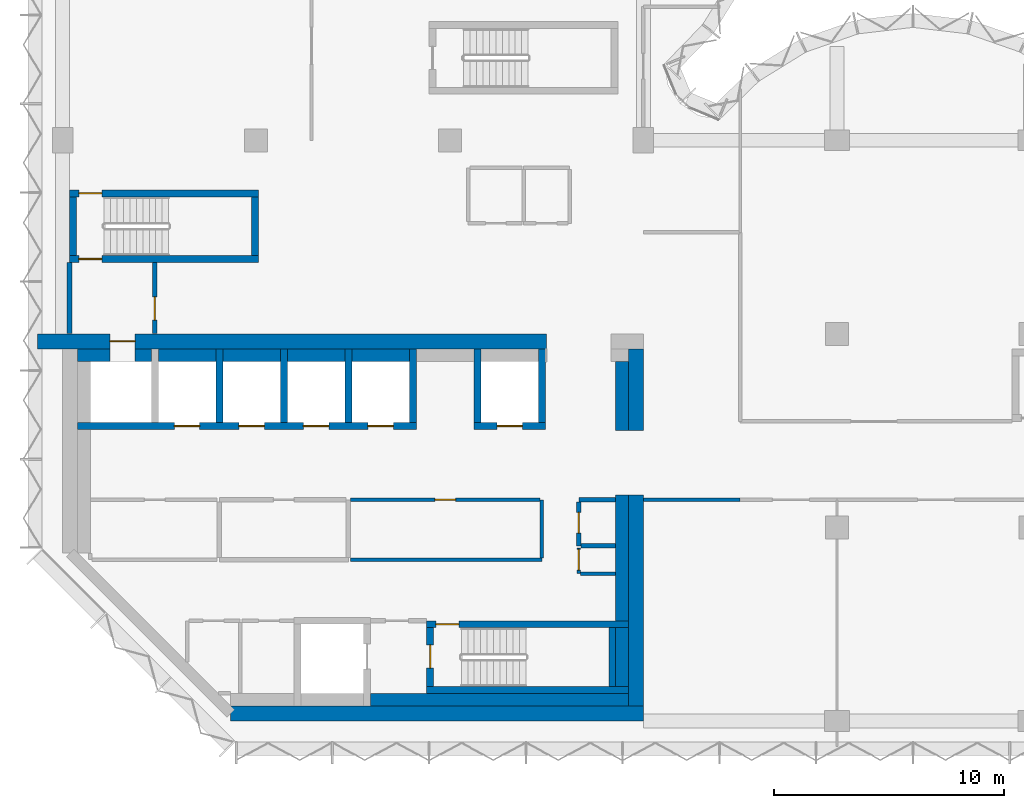
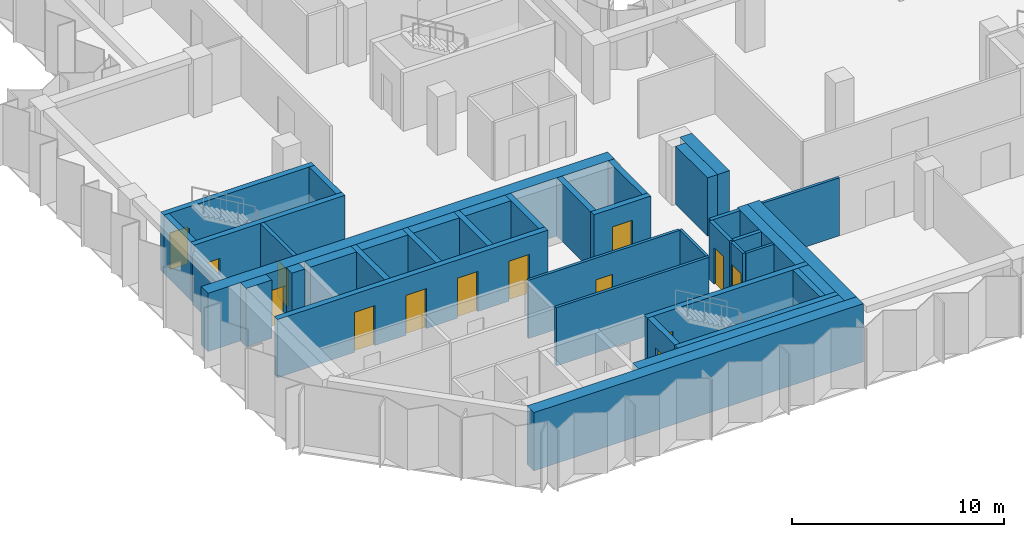
# One storey, part 5 of 9: 41 walls, 14 doors, 14 openings.
"""IFC4 building model written with IfcOpenShell, lengths in metres."""

from ifc_helpers import new_model, si_unit, direction, frame, frame_2d, origin, place, context, subcontext, project, spatial, rectangle, extrude, material, layer, layer_set, type_object, element, fill, save


model = new_model("IFC4")

# Units and contexts
model_context = context("Model", 3, precision=1e-05, world=origin(), true_north=direction((0.0, 1.0)))
body_context = subcontext(model_context, "Body", "Model", "MODEL_VIEW")
ifc_project = project(units=[si_unit("LENGTHUNIT", "METRE"), si_unit("AREAUNIT", "SQUARE_METRE"), si_unit("VOLUMEUNIT", "CUBIC_METRE"), si_unit("PLANEANGLEUNIT", "RADIAN"), si_unit("MASSUNIT", "GRAM", prefix="KILO")], contexts=[model_context])

# Site, building, storey
site_placement = place(None, origin())
site = spatial("IfcSite", under=ifc_project, at=site_placement, CompositionType="ELEMENT")
building_placement = place(site_placement, origin())
building = spatial("IfcBuilding", under=site, at=building_placement, Name="Brevane Broadcast Tower", CompositionType="ELEMENT")
storey_placement = place(building_placement, frame((0.0, 0.0, 192.0)))
storey = spatial("IfcBuildingStorey", under=building, at=storey_placement, Name="L48", CompositionType="ELEMENT", Elevation=192.0)

# Walls
ifc_material_1 = material(Name="Concrete C32/40", Category="concrete")
ifc_layer_1 = layer(ifc_material_1, 0.550048828125)
ifc_layer_set_1 = layer_set([ifc_layer_1], Name="Core chase wall 550 mm")
wall_type_1 = type_object("IfcWallType", Name="Core chase wall 550 mm", PredefinedType="PARTITIONING", material=ifc_layer_set_1)
wall_1_placement = place(storey_placement, frame((24.27490234375, 12.60009765625, 0.0), z_axis=(0.0, 0.0, 1.0), x_axis=(0.0, 1.0, 0.0)))
element("IfcWall", 1, at=wall_1_placement, inside=storey, type_object=wall_type_1, Name="L48 chase wall LE2", PredefinedType="PARTITIONING", context=body_context, shape_type="SweptSolid", body=[
    extrude(rectangle(XDim=3.0, YDim=0.550048828125, at=frame_2d((1.5, 0.0))), origin(), (0.0, 0.0, 1.0), 3.35009765625),
])
wall_2_placement = place(storey_placement, frame((0.64990234375, 15.875, 0.0), z_axis=(0.0, 0.0, 1.0), x_axis=(1.0, 0.0, 0.0)))
element("IfcWall", 2, at=wall_2_placement, inside=storey, type_object=wall_type_1, Name="L48 chase wall LN0", PredefinedType="PARTITIONING", context=body_context, shape_type="SweptSolid", body=[
    extrude(rectangle(XDim=1.400146484375, YDim=0.550048828125, at=frame_2d((0.7001953125, 0.0))), origin(), (0.0, 0.0, 1.0), 3.35009765625),
])
wall_3_placement = place(storey_placement, frame((3.14990234375, 15.875, 0.0), z_axis=(0.0, 0.0, 1.0), x_axis=(1.0, 0.0, 0.0)))
element("IfcWall", 3, at=wall_3_placement, inside=storey, type_object=wall_type_1, Name="L48 chase wall LN1-1", PredefinedType="PARTITIONING", context=body_context, shape_type="SweptSolid", body=[
    extrude(rectangle(XDim=0.7001953125, YDim=0.550048828125, at=frame_2d((0.35009765625, 0.0))), origin(), (0.0, 0.0, 1.0), 3.35009765625),
])
for number, where, z_axis, x_axis, name in (
    (4, (4.14990234375, 15.875, 0.0), (0.0, 0.0, 1.0), (1.0, 0.0, 0.0), "L48 chase wall LN1-2-1"),
    (5, (6.949951171875, 15.875, 0.0), (0.0, 0.0, 1.0), (1.0, 0.0, 0.0), "L48 chase wall LN1-2-2-1"),
    (6, (9.75, 15.875, 0.0), (0.0, 0.0, 1.0), (1.0, 0.0, 0.0), "L48 chase wall LN1-2-2-2-1"),
    (7, (12.550048828125, 15.875, 0.0), (0.0, 0.0, 1.0), (1.0, 0.0, 0.0), "L48 chase wall LN1-2-2-2-2-1"),
):
    element("IfcWall", number, at=place(storey_placement, frame(where, z_axis=z_axis, x_axis=x_axis)), inside=storey, type_object=wall_type_1, Name=name, PredefinedType="PARTITIONING", context=body_context, shape_type="SweptSolid", body=[
        extrude(rectangle(XDim=2.5, YDim=0.550048828125, at=frame_2d((1.25, 0.0))), origin(), (0.0, 0.0, 1.0), 3.35009765625),
    ])
wall_4_placement = place(storey_placement, frame((13.35009765625, 0.925048828125, 0.0), z_axis=(0.0, 0.0, 1.0), x_axis=(1.0, 0.0, 0.0)))
element("IfcWall", 8, at=wall_4_placement, inside=storey, type_object=wall_type_1, Name="L48 chase wall LS-2-2", PredefinedType="PARTITIONING", context=body_context, shape_type="SweptSolid", body=[
    extrude(rectangle(XDim=11.199951171875, YDim=0.550048828125, at=frame_2d((5.60009765625, 0.0))), origin(), (0.0, 0.0, 1.0), 3.35009765625),
])
wall_5_placement = place(storey_placement, frame((24.27490234375, 1.5, 0.0), z_axis=(0.0, 0.0, 1.0), x_axis=(0.0, 1.0, 0.0)))
element("IfcWall", 9, at=wall_5_placement, inside=storey, type_object=wall_type_1, Name="L48 chase wall LE1-2-1", PredefinedType="PARTITIONING", context=body_context, shape_type="SweptSolid", body=[
    extrude(rectangle(XDim=2.550048828125, YDim=0.550048828125, at=frame_2d((1.27490234375, 0.0))), origin(), (0.0, 0.0, 1.0), 3.35009765625),
])
wall_6_placement = place(storey_placement, frame((24.27490234375, 4.35009765625, 0.0), z_axis=(0.0, 0.0, 1.0), x_axis=(0.0, 1.0, 0.0)))
element("IfcWall", 10, at=wall_6_placement, inside=storey, type_object=wall_type_1, Name="L48 chase wall LE1-2-2", PredefinedType="PARTITIONING", context=body_context, shape_type="SweptSolid", body=[
    extrude(rectangle(XDim=5.449951171875, YDim=0.550048828125, at=frame_2d((2.72509765625, 0.0))), origin(), (0.0, 0.0, 1.0), 3.35009765625),
])
ifc_material_2 = material(Name="Gypsum board on steel studs", Category="steel")
ifc_layer_2 = layer(ifc_material_2, 0.14990234375)
ifc_layer_set_2 = layer_set([ifc_layer_2], Name="Core fire partition 150 mm")
wall_type_2 = type_object("IfcWallType", Name="Core fire partition 150 mm", PredefinedType="PARTITIONING", material=ifc_layer_set_2)
wall_7_placement = place(storey_placement, frame((12.5, 7.0, 0.0), z_axis=(0.0, 0.0, 1.0), x_axis=(1.0, 0.0, 0.0)))
element("IfcWall", 11, at=wall_7_placement, inside=storey, type_object=wall_type_2, Name="L48 partition wall P19", PredefinedType="PARTITIONING", context=body_context, shape_type="SweptSolid", body=[
    extrude(rectangle(XDim=8.300048828125, YDim=0.14990234375, at=frame_2d((4.14990234375, 0.0))), origin(), (0.0, 0.0, 1.0), 3.35009765625),
])
wall_8_placement = place(storey_placement, frame((20.800048828125, 7.074951171875, 0.0), z_axis=(0.0, 0.0, 1.0), x_axis=(0.0, 1.0, 0.0)))
element("IfcWall", 12, at=wall_8_placement, inside=storey, type_object=wall_type_2, Name="L48 partition wall P20", PredefinedType="PARTITIONING", context=body_context, shape_type="SweptSolid", body=[
    extrude(rectangle(XDim=2.525146484375, YDim=0.14990234375, at=frame_2d((1.2626953125, 0.0))), origin(), (0.0, 0.0, 1.0), 3.35009765625),
])

# Wall, opening, door
wall_9_placement = place(storey_placement, frame((20.72509765625, 9.60009765625, 0.0), z_axis=(0.0, 0.0, 1.0), x_axis=(-1.0, 0.0, 0.0)))
wall_9 = element("IfcWall", 13, at=wall_9_placement, inside=storey, type_object=wall_type_2, Name="L48 partition wall P21", PredefinedType="PARTITIONING", context=body_context, shape_type="SweptSolid", body=[
    extrude(rectangle(XDim=8.22509765625, YDim=0.14990234375, at=frame_2d((4.112548828125, 0.0))), origin(), (0.0, 0.0, 1.0), 3.35009765625),
])
opening_1_placement = place(wall_9_placement, frame((3.675048828125, 0.0, 0.0)))
opening_1 = element("IfcOpeningElement", 14, at=opening_1_placement, cuts=wall_9, Name="Opening L48-K21", PredefinedType="OPENING", context=body_context, shape_type="SweptSolid", body=[
    extrude(rectangle(XDim=0.89990234375, YDim=2.10009765625, at=frame_2d((0.449951171875, 1.050048828125))), frame((0.0, 0.0849609375, 0.0), z_axis=(0.0, -1.0, 0.0), x_axis=(1.0, 0.0, 0.0)), (0.0, 0.0, 1.0), 0.169921875),
])
ifc_material_3 = material(Name="Steel", Category="steel")
door_type_1 = type_object("IfcDoorType", Name="Service room door 900 x 2100", OperationType="SINGLE_SWING_LEFT", PredefinedType="DOOR", material=ifc_material_3)
door_1_placement = place(opening_1_placement, origin())
door_1 = element("IfcDoor", 15, at=door_1_placement, inside=storey, type_object=door_type_1, Name="Door L48-K21", OperationType="SINGLE_SWING_RIGHT", OverallHeight=2.10009765625, OverallWidth=0.89990234375, PredefinedType="DOOR", context=body_context, shape_type="SweptSolid", body=[
    extrude(rectangle(XDim=0.89990234375, YDim=2.10009765625, at=frame_2d((0.449951171875, 1.050048828125))), frame((0.0, 0.02490234375, 0.0), z_axis=(0.0, -1.0, 0.0), x_axis=(1.0, 0.0, 0.0)), (0.0, 0.0, 1.0), 0.050048828125),
])
fill(opening_1, door_1)

wall_10_placement = place(storey_placement, frame((22.39990234375, 7.5, 0.0), z_axis=(0.0, 0.0, 1.0), x_axis=(0.0, -1.0, 0.0)))
wall_10 = element("IfcWall", 16, at=wall_10_placement, inside=storey, type_object=wall_type_2, Name="L48 partition wall P29", PredefinedType="PARTITIONING", context=body_context, shape_type="SweptSolid", body=[
    extrude(rectangle(XDim=1.10009765625, YDim=0.14990234375, at=frame_2d((0.550048828125, 0.0))), origin(), (0.0, 0.0, 1.0), 3.35009765625),
])
opening_2_placement = place(wall_10_placement, frame((0.050048828125, 0.0, 0.0)))
opening_2 = element("IfcOpeningElement", 17, at=opening_2_placement, cuts=wall_10, Name="Opening L48-K17", PredefinedType="OPENING", context=body_context, shape_type="SweptSolid", body=[
    extrude(rectangle(XDim=0.89990234375, YDim=2.10009765625, at=frame_2d((0.449951171875, 1.050048828125))), frame((0.0, 0.0849609375, 0.0), z_axis=(0.0, -1.0, 0.0), x_axis=(1.0, 0.0, 0.0)), (0.0, 0.0, 1.0), 0.169921875),
])
door_2_placement = place(opening_2_placement, origin())
door_2 = element("IfcDoor", 18, at=door_2_placement, inside=storey, type_object=door_type_1, Name="Door L48-K17", OperationType="SINGLE_SWING_RIGHT", OverallHeight=2.10009765625, OverallWidth=0.89990234375, PredefinedType="DOOR", context=body_context, shape_type="SweptSolid", body=[
    extrude(rectangle(XDim=0.89990234375, YDim=2.10009765625, at=frame_2d((0.449951171875, 1.050048828125))), frame((0.0, 0.02490234375, 0.0), z_axis=(0.0, -1.0, 0.0), x_axis=(1.0, 0.0, 0.0)), (0.0, 0.0, 1.0), 0.050048828125),
])
fill(opening_2, door_2)

# Walls
wall_11_placement = place(storey_placement, frame((22.47509765625, 6.39990234375, 0.0), z_axis=(0.0, 0.0, 1.0), x_axis=(1.0, 0.0, 0.0)))
element("IfcWall", 19, at=wall_11_placement, inside=storey, type_object=wall_type_2, Name="L48 partition wall P30", PredefinedType="PARTITIONING", context=body_context, shape_type="SweptSolid", body=[
    extrude(rectangle(XDim=1.512939453125, YDim=0.14990234375, at=frame_2d((0.75634765625, 0.0))), origin(), (0.0, 0.0, 1.0), 3.35009765625),
])
ifc_layer_3 = layer(ifc_material_2, 0.199951171875)
ifc_layer_set_3 = layer_set([ifc_layer_3], Name="Core fire partition 200 mm")
wall_type_3 = type_object("IfcWallType", Name="Core fire partition 200 mm", PredefinedType="PARTITIONING", material=ifc_layer_set_3)
wall_12_placement = place(storey_placement, frame((0.300048828125, 16.81201171875, 0.0), z_axis=(0.0, 0.0, 1.0), x_axis=(0.0, 1.0, 0.0)))
element("IfcWall", 20, at=wall_12_placement, inside=storey, type_object=wall_type_3, Name="L48 partition wall P01", PredefinedType="PARTITIONING", context=body_context, shape_type="SweptSolid", body=[
    extrude(rectangle(XDim=3.075927734375, YDim=0.199951171875, at=frame_2d((1.5380859375, 0.0))), origin(), (0.0, 0.0, 1.0), 2.97998046875),
])

# Wall, opening, door
wall_13_placement = place(storey_placement, frame((4.0, 19.887939453125, 0.0), z_axis=(0.0, 0.0, 1.0), x_axis=(0.0, -1.0, 0.0)))
wall_13 = element("IfcWall", 21, at=wall_13_placement, inside=storey, type_object=wall_type_3, Name="L48 partition wall P02", PredefinedType="PARTITIONING", context=body_context, shape_type="SweptSolid", body=[
    extrude(rectangle(XDim=3.075927734375, YDim=0.199951171875, at=frame_2d((1.5380859375, 0.0))), origin(), (0.0, 0.0, 1.0), 3.35009765625),
])
opening_3_placement = place(wall_13_placement, frame((1.488037109375, 0.0, 0.0)))
opening_3 = element("IfcOpeningElement", 22, at=opening_3_placement, cuts=wall_13, Name="Opening L48-K22", PredefinedType="OPENING", context=body_context, shape_type="SweptSolid", body=[
    extrude(rectangle(XDim=1.0, YDim=2.10009765625, at=frame_2d((0.5, 1.050048828125))), frame((0.0, 0.10986328125, 0.0), z_axis=(0.0, -1.0, 0.0), x_axis=(1.0, 0.0, 0.0)), (0.0, 0.0, 1.0), 0.219970703125),
])
door_type_2 = type_object("IfcDoorType", Name="Stair door 1000 x 2100", OperationType="SINGLE_SWING_LEFT", PredefinedType="DOOR", material=ifc_material_3)
door_3_placement = place(opening_3_placement, origin())
door_3 = element("IfcDoor", 23, at=door_3_placement, inside=storey, type_object=door_type_2, Name="Door L48-K22", OperationType="SINGLE_SWING_LEFT", OverallHeight=2.10009765625, OverallWidth=1.0, PredefinedType="DOOR", context=body_context, shape_type="SweptSolid", body=[
    extrude(rectangle(XDim=1.0, YDim=2.10009765625, at=frame_2d((0.5, 1.050048828125))), frame((0.0, 0.02490234375, 0.0), z_axis=(0.0, -1.0, 0.0), x_axis=(1.0, 0.0, 0.0)), (0.0, 0.0, 1.0), 0.050048828125),
])
fill(opening_3, door_3)

# Wall
wall_14_placement = place(storey_placement, frame((23.988037109375, 9.60009765625, 0.0), z_axis=(0.0, 0.0, 1.0), x_axis=(-1.0, 0.0, 0.0)))
element("IfcWall", 24, at=wall_14_placement, inside=storey, type_object=wall_type_3, Name="L48 partition wall P04", PredefinedType="PARTITIONING", context=body_context, shape_type="SweptSolid", body=[
    extrude(rectangle(XDim=1.588134765625, YDim=0.199951171875, at=frame_2d((0.7939453125, 0.0))), origin(), (0.0, 0.0, 1.0), 3.35009765625),
])

# Wall, opening, door
wall_15_placement = place(storey_placement, frame((22.39990234375, 9.5, 0.0), z_axis=(0.0, 0.0, 1.0), x_axis=(0.0, -1.0, 0.0)))
wall_15 = element("IfcWall", 25, at=wall_15_placement, inside=storey, type_object=wall_type_3, Name="L48 partition wall P05", PredefinedType="PARTITIONING", context=body_context, shape_type="SweptSolid", body=[
    extrude(rectangle(XDim=1.89990234375, YDim=0.199951171875, at=frame_2d((0.949951171875, 0.0))), origin(), (0.0, 0.0, 1.0), 3.35009765625),
])
opening_4_placement = place(wall_15_placement, frame((0.449951171875, 0.0, 0.0)))
opening_4 = element("IfcOpeningElement", 26, at=opening_4_placement, cuts=wall_15, Name="Opening L48-K18", PredefinedType="OPENING", context=body_context, shape_type="SweptSolid", body=[
    extrude(rectangle(XDim=0.89990234375, YDim=2.10009765625, at=frame_2d((0.449951171875, 1.050048828125))), frame((0.0, 0.10986328125, 0.0), z_axis=(0.0, -1.0, 0.0), x_axis=(1.0, 0.0, 0.0)), (0.0, 0.0, 1.0), 0.219970703125),
])
door_4_placement = place(opening_4_placement, origin())
door_4 = element("IfcDoor", 27, at=door_4_placement, inside=storey, type_object=door_type_1, Name="Door L48-K18", OperationType="SINGLE_SWING_LEFT", OverallHeight=2.10009765625, OverallWidth=0.89990234375, PredefinedType="DOOR", context=body_context, shape_type="SweptSolid", body=[
    extrude(rectangle(XDim=0.89990234375, YDim=2.10009765625, at=frame_2d((0.449951171875, 1.050048828125))), frame((0.0, 0.02490234375, 0.0), z_axis=(0.0, -1.0, 0.0), x_axis=(1.0, 0.0, 0.0)), (0.0, 0.0, 1.0), 0.050048828125),
])
fill(opening_4, door_4)

# Wall
wall_16_placement = place(storey_placement, frame((22.5, 7.60009765625, 0.0), z_axis=(0.0, 0.0, 1.0), x_axis=(1.0, 0.0, 0.0)))
element("IfcWall", 28, at=wall_16_placement, inside=storey, type_object=wall_type_3, Name="L48 partition wall P06", PredefinedType="PARTITIONING", context=body_context, shape_type="SweptSolid", body=[
    extrude(rectangle(XDim=1.488037109375, YDim=0.199951171875, at=frame_2d((0.744140625, 0.0))), origin(), (0.0, 0.0, 1.0), 3.35009765625),
])

# Wall, openings, doors
ifc_material_4 = material(Name="Concrete C60/75", Category="concrete")
ifc_layer_4 = layer(ifc_material_4, 0.300048828125)
ifc_layer_set_4 = layer_set([ifc_layer_4], Name="Core wall 300 mm C60/75")
wall_type_4 = type_object("IfcWallType", Name="Core wall 300 mm C60/75", PredefinedType="SHEAR", material=ifc_layer_set_4)
wall_17_placement = place(storey_placement, frame((0.64990234375, 12.800048828125, 0.0), z_axis=(0.0, 0.0, 1.0), x_axis=(1.0, 0.0, 0.0)))
wall_17 = element("IfcWall", 29, at=wall_17_placement, inside=storey, type_object=wall_type_4, Name="L48 shaft wall SH-N012-front", PredefinedType="SHEAR", context=body_context, shape_type="SweptSolid", body=[
    extrude(rectangle(XDim=14.7001953125, YDim=0.300048828125, at=frame_2d((7.35009765625, 0.0))), origin(), (0.0, 0.0, 1.0), 3.35009765625),
])
opening_5_placement = place(wall_17_placement, frame((4.199951171875, 0.0, 0.0)))
opening_5 = element("IfcOpeningElement", 30, at=opening_5_placement, cuts=wall_17, Name="Opening LD", PredefinedType="OPENING", context=body_context, shape_type="SweptSolid", body=[
    extrude(rectangle(XDim=1.10009765625, YDim=2.300048828125, at=frame_2d((0.550048828125, 1.14990234375))), frame((0.0, 0.159912109375, 0.0), z_axis=(0.0, -1.0, 0.0), x_axis=(1.0, 0.0, 0.0)), (0.0, 0.0, 1.0), 0.320068359375),
])
opening_6_placement = place(wall_17_placement, frame((7.0, 0.0, 0.0)))
opening_6 = element("IfcOpeningElement", 31, at=opening_6_placement, cuts=wall_17, Name="Opening LD", PredefinedType="OPENING", context=body_context, shape_type="SweptSolid", body=[
    extrude(rectangle(XDim=1.10009765625, YDim=2.300048828125, at=frame_2d((0.550048828125, 1.14990234375))), frame((0.0, 0.159912109375, 0.0), z_axis=(0.0, -1.0, 0.0), x_axis=(1.0, 0.0, 0.0)), (0.0, 0.0, 1.0), 0.320068359375),
])
opening_7_placement = place(wall_17_placement, frame((9.800048828125, 0.0, 0.0)))
opening_7 = element("IfcOpeningElement", 32, at=opening_7_placement, cuts=wall_17, Name="Opening LD", PredefinedType="OPENING", context=body_context, shape_type="SweptSolid", body=[
    extrude(rectangle(XDim=1.10009765625, YDim=2.300048828125, at=frame_2d((0.550048828125, 1.14990234375))), frame((0.0, 0.159912109375, 0.0), z_axis=(0.0, -1.0, 0.0), x_axis=(1.0, 0.0, 0.0)), (0.0, 0.0, 1.0), 0.320068359375),
])
opening_8_placement = place(wall_17_placement, frame((12.60009765625, 0.0, 0.0)))
opening_8 = element("IfcOpeningElement", 33, at=opening_8_placement, cuts=wall_17, Name="Opening LD", PredefinedType="OPENING", context=body_context, shape_type="SweptSolid", body=[
    extrude(rectangle(XDim=1.10009765625, YDim=2.300048828125, at=frame_2d((0.550048828125, 1.14990234375))), frame((0.0, 0.159912109375, 0.0), z_axis=(0.0, -1.0, 0.0), x_axis=(1.0, 0.0, 0.0)), (0.0, 0.0, 1.0), 0.320068359375),
])
ifc_material_5 = material(Name="Stainless steel", Category="steel")
door_type_3 = type_object("IfcDoorType", Name="Lift landing door", OperationType="SLIDING_TO_LEFT", PredefinedType="DOOR", material=ifc_material_5)
door_5_placement = place(opening_5_placement, origin())
door_5 = element("IfcDoor", 34, at=door_5_placement, inside=storey, type_object=door_type_3, Name="Landing door HR1 L48", OperationType="SLIDING_TO_LEFT", OverallHeight=2.300048828125, OverallWidth=1.10009765625, PredefinedType="DOOR", context=body_context, shape_type="SweptSolid", body=[
    extrude(rectangle(XDim=1.10009765625, YDim=2.300048828125, at=frame_2d((0.550048828125, 1.14990234375))), frame((0.0, 0.02490234375, 0.0), z_axis=(0.0, -1.0, 0.0), x_axis=(1.0, 0.0, 0.0)), (0.0, 0.0, 1.0), 0.050048828125),
])
fill(opening_5, door_5)
door_6_placement = place(opening_6_placement, origin())
door_6 = element("IfcDoor", 35, at=door_6_placement, inside=storey, type_object=door_type_3, Name="Landing door HR2 L48", OperationType="SLIDING_TO_LEFT", OverallHeight=2.300048828125, OverallWidth=1.10009765625, PredefinedType="DOOR", context=body_context, shape_type="SweptSolid", body=[
    extrude(rectangle(XDim=1.10009765625, YDim=2.300048828125, at=frame_2d((0.550048828125, 1.14990234375))), frame((0.0, 0.02490234375, 0.0), z_axis=(0.0, -1.0, 0.0), x_axis=(1.0, 0.0, 0.0)), (0.0, 0.0, 1.0), 0.050048828125),
])
fill(opening_6, door_6)
door_7_placement = place(opening_7_placement, origin())
door_7 = element("IfcDoor", 36, at=door_7_placement, inside=storey, type_object=door_type_3, Name="Landing door HR3 L48", OperationType="SLIDING_TO_LEFT", OverallHeight=2.300048828125, OverallWidth=1.10009765625, PredefinedType="DOOR", context=body_context, shape_type="SweptSolid", body=[
    extrude(rectangle(XDim=1.10009765625, YDim=2.300048828125, at=frame_2d((0.550048828125, 1.14990234375))), frame((0.0, 0.02490234375, 0.0), z_axis=(0.0, -1.0, 0.0), x_axis=(1.0, 0.0, 0.0)), (0.0, 0.0, 1.0), 0.050048828125),
])
fill(opening_7, door_7)
door_8_placement = place(opening_8_placement, origin())
door_8 = element("IfcDoor", 37, at=door_8_placement, inside=storey, type_object=door_type_3, Name="Landing door HR4 L48", OperationType="SLIDING_TO_LEFT", OverallHeight=2.300048828125, OverallWidth=1.10009765625, PredefinedType="DOOR", context=body_context, shape_type="SweptSolid", body=[
    extrude(rectangle(XDim=1.10009765625, YDim=2.300048828125, at=frame_2d((0.550048828125, 1.14990234375))), frame((0.0, 0.02490234375, 0.0), z_axis=(0.0, -1.0, 0.0), x_axis=(1.0, 0.0, 0.0)), (0.0, 0.0, 1.0), 0.050048828125),
])
fill(opening_8, door_8)

# Walls
for number, where, z_axis, x_axis, name in (
    (38, (6.800048828125, 12.949951171875, 0.0), (0.0, 0.0, 1.0), (0.0, 1.0, 0.0), "L48 shaft wall SH-N-P068"),
    (39, (9.60009765625, 12.949951171875, 0.0), (0.0, 0.0, 1.0), (0.0, 1.0, 0.0), "L48 shaft wall SH-N-P096"),
    (40, (12.39990234375, 12.949951171875, 0.0), (0.0, 0.0, 1.0), (0.0, 1.0, 0.0), "L48 shaft wall SH-N-P124"),
    (41, (15.199951171875, 12.949951171875, 0.0), (0.0, 0.0, 1.0), (0.0, 1.0, 0.0), "L48 shaft wall SH-N-P152"),
):
    element("IfcWall", number, at=place(storey_placement, frame(where, z_axis=z_axis, x_axis=x_axis)), inside=storey, type_object=wall_type_4, Name=name, PredefinedType="SHEAR", context=body_context, shape_type="SweptSolid", body=[
        extrude(rectangle(XDim=3.199951171875, YDim=0.300048828125, at=frame_2d((1.60009765625, 0.0))), origin(), (0.0, 0.0, 1.0), 3.35009765625),
    ])

# Wall, opening, door
wall_18_placement = place(storey_placement, frame((17.85009765625, 12.800048828125, 0.0), z_axis=(0.0, 0.0, 1.0), x_axis=(1.0, 0.0, 0.0)))
wall_18 = element("IfcWall", 42, at=wall_18_placement, inside=storey, type_object=wall_type_4, Name="L48 shaft wall SH-N180-front", PredefinedType="SHEAR", context=body_context, shape_type="SweptSolid", body=[
    extrude(rectangle(XDim=3.099853515625, YDim=0.300048828125, at=frame_2d((1.5498046875, 0.0))), origin(), (0.0, 0.0, 1.0), 3.35009765625),
])
opening_9_placement = place(wall_18_placement, frame((1.0, 0.0, 0.0)))
opening_9 = element("IfcOpeningElement", 43, at=opening_9_placement, cuts=wall_18, Name="Opening LD", PredefinedType="OPENING", context=body_context, shape_type="SweptSolid", body=[
    extrude(rectangle(XDim=1.10009765625, YDim=2.300048828125, at=frame_2d((0.550048828125, 1.14990234375))), frame((0.0, 0.159912109375, 0.0), z_axis=(0.0, -1.0, 0.0), x_axis=(1.0, 0.0, 0.0)), (0.0, 0.0, 1.0), 0.320068359375),
])
door_9_placement = place(opening_9_placement, origin())
door_9 = element("IfcDoor", 44, at=door_9_placement, inside=storey, type_object=door_type_3, Name="Landing door SL1 L48", OperationType="SLIDING_TO_LEFT", OverallHeight=2.300048828125, OverallWidth=1.10009765625, PredefinedType="DOOR", context=body_context, shape_type="SweptSolid", body=[
    extrude(rectangle(XDim=1.10009765625, YDim=2.300048828125, at=frame_2d((0.550048828125, 1.14990234375))), frame((0.0, 0.02490234375, 0.0), z_axis=(0.0, -1.0, 0.0), x_axis=(1.0, 0.0, 0.0)), (0.0, 0.0, 1.0), 0.050048828125),
])
fill(opening_9, door_9)

# Walls
for number, where, z_axis, x_axis, name in (
    (45, (18.0, 12.949951171875, 0.0), (0.0, 0.0, 1.0), (0.0, 1.0, 0.0), "L48 shaft wall SH-N-P180"),
    (46, (20.800048828125, 12.949951171875, 0.0), (0.0, 0.0, 1.0), (0.0, 1.0, 0.0), "L48 shaft wall SH-N-P208"),
):
    element("IfcWall", number, at=place(storey_placement, frame(where, z_axis=z_axis, x_axis=x_axis)), inside=storey, type_object=wall_type_4, Name=name, PredefinedType="SHEAR", context=body_context, shape_type="SweptSolid", body=[
        extrude(rectangle(XDim=3.199951171875, YDim=0.300048828125, at=frame_2d((1.60009765625, 0.0))), origin(), (0.0, 0.0, 1.0), 3.35009765625),
    ])

# Wall, opening, door
wall_19_placement = place(storey_placement, frame((8.5, 20.050048828125, 0.0), z_axis=(0.0, 0.0, 1.0), x_axis=(-1.0, 0.0, 0.0)))
wall_19 = element("IfcWall", 47, at=wall_19_placement, inside=storey, type_object=wall_type_4, Name="L48 stair wall ST-1-S", PredefinedType="SHEAR", context=body_context, shape_type="SweptSolid", body=[
    extrude(rectangle(XDim=8.199951171875, YDim=0.300048828125, at=frame_2d((4.10009765625, 0.0))), origin(), (0.0, 0.0, 1.0), 3.35009765625),
])
opening_10_placement = place(wall_19_placement, frame((6.800048828125, 0.0, 0.0)))
opening_10 = element("IfcOpeningElement", 48, at=opening_10_placement, cuts=wall_19, Name="Opening L48-K08", PredefinedType="OPENING", context=body_context, shape_type="SweptSolid", body=[
    extrude(rectangle(XDim=1.0, YDim=2.10009765625, at=frame_2d((0.5, 1.050048828125))), frame((0.0, 0.159912109375, 0.0), z_axis=(0.0, -1.0, 0.0), x_axis=(1.0, 0.0, 0.0)), (0.0, 0.0, 1.0), 0.320068359375),
])
door_10_placement = place(opening_10_placement, origin())
door_10 = element("IfcDoor", 49, at=door_10_placement, inside=storey, type_object=door_type_2, Name="Door L48-K08", OperationType="SINGLE_SWING_LEFT", OverallHeight=2.10009765625, OverallWidth=1.0, PredefinedType="DOOR", context=body_context, shape_type="SweptSolid", body=[
    extrude(rectangle(XDim=1.0, YDim=2.10009765625, at=frame_2d((0.5, 1.050048828125))), frame((0.0, 0.02490234375, 0.0), z_axis=(0.0, -1.0, 0.0), x_axis=(1.0, 0.0, 0.0)), (0.0, 0.0, 1.0), 0.050048828125),
])
fill(opening_10, door_10)

wall_20_placement = place(storey_placement, frame((0.300048828125, 22.89990234375, 0.0), z_axis=(0.0, 0.0, 1.0), x_axis=(1.0, 0.0, 0.0)))
wall_20 = element("IfcWall", 50, at=wall_20_placement, inside=storey, type_object=wall_type_4, Name="L48 stair wall ST-1-N", PredefinedType="SHEAR", context=body_context, shape_type="SweptSolid", body=[
    extrude(rectangle(XDim=8.199951171875, YDim=0.300048828125, at=frame_2d((4.10009765625, 0.0))), origin(), (0.0, 0.0, 1.0), 3.35009765625),
])
opening_11_placement = place(wall_20_placement, frame((0.39990234375, 0.0, 0.0)))
opening_11 = element("IfcOpeningElement", 51, at=opening_11_placement, cuts=wall_20, Name="Opening L48-K09", PredefinedType="OPENING", context=body_context, shape_type="SweptSolid", body=[
    extrude(rectangle(XDim=1.0, YDim=2.10009765625, at=frame_2d((0.5, 1.050048828125))), frame((0.0, 0.159912109375, 0.0), z_axis=(0.0, -1.0, 0.0), x_axis=(1.0, 0.0, 0.0)), (0.0, 0.0, 1.0), 0.320068359375),
])
door_11_placement = place(opening_11_placement, origin())
door_11 = element("IfcDoor", 52, at=door_11_placement, inside=storey, type_object=door_type_2, Name="Door L48-K09", OperationType="SINGLE_SWING_RIGHT", OverallHeight=2.10009765625, OverallWidth=1.0, PredefinedType="DOOR", context=body_context, shape_type="SweptSolid", body=[
    extrude(rectangle(XDim=1.0, YDim=2.10009765625, at=frame_2d((0.5, 1.050048828125))), frame((0.0, 0.02490234375, 0.0), z_axis=(0.0, -1.0, 0.0), x_axis=(1.0, 0.0, 0.0)), (0.0, 0.0, 1.0), 0.050048828125),
])
fill(opening_11, door_11)

# Walls
for number, where, z_axis, x_axis, name in (
    (53, (0.449951171875, 20.199951171875, 0.0), (0.0, 0.0, 1.0), (0.0, 1.0, 0.0), "L48 stair wall ST-1-W"),
    (54, (8.35009765625, 20.199951171875, 0.0), (0.0, 0.0, 1.0), (0.0, 1.0, 0.0), "L48 stair wall ST-1-E"),
):
    element("IfcWall", number, at=place(storey_placement, frame(where, z_axis=z_axis, x_axis=x_axis)), inside=storey, type_object=wall_type_4, Name=name, PredefinedType="SHEAR", context=body_context, shape_type="SweptSolid", body=[
        extrude(rectangle(XDim=2.550048828125, YDim=0.300048828125, at=frame_2d((1.27490234375, 0.0))), origin(), (0.0, 0.0, 1.0), 3.35009765625),
    ])
wall_21_placement = place(storey_placement, frame((15.800048828125, 1.35009765625, 0.0), z_axis=(0.0, 0.0, 1.0), x_axis=(1.0, 0.0, 0.0)))
element("IfcWall", 55, at=wall_21_placement, inside=storey, type_object=wall_type_4, Name="L48 stair wall ST-2-S", PredefinedType="SHEAR", context=body_context, shape_type="SweptSolid", body=[
    extrude(rectangle(XDim=8.75, YDim=0.300048828125, at=frame_2d((4.375, 0.0))), origin(), (0.0, 0.0, 1.0), 3.35009765625),
])

# Wall, opening, door
wall_22_placement = place(storey_placement, frame((15.800048828125, 4.199951171875, 0.0), z_axis=(0.0, 0.0, 1.0), x_axis=(1.0, 0.0, 0.0)))
wall_22 = element("IfcWall", 56, at=wall_22_placement, inside=storey, type_object=wall_type_4, Name="L48 stair wall ST-2-N", PredefinedType="SHEAR", context=body_context, shape_type="SweptSolid", body=[
    extrude(rectangle(XDim=8.75, YDim=0.300048828125, at=frame_2d((4.375, 0.0))), origin(), (0.0, 0.0, 1.0), 3.35009765625),
])
opening_12_placement = place(wall_22_placement, frame((0.39990234375, 0.0, 0.0)))
opening_12 = element("IfcOpeningElement", 57, at=opening_12_placement, cuts=wall_22, Name="Opening L48-K11", PredefinedType="OPENING", context=body_context, shape_type="SweptSolid", body=[
    extrude(rectangle(XDim=1.0, YDim=2.10009765625, at=frame_2d((0.5, 1.050048828125))), frame((0.0, 0.159912109375, 0.0), z_axis=(0.0, -1.0, 0.0), x_axis=(1.0, 0.0, 0.0)), (0.0, 0.0, 1.0), 0.320068359375),
])
door_12_placement = place(opening_12_placement, origin())
door_12 = element("IfcDoor", 58, at=door_12_placement, inside=storey, type_object=door_type_2, Name="Door L48-K11", OperationType="SINGLE_SWING_RIGHT", OverallHeight=2.10009765625, OverallWidth=1.0, PredefinedType="DOOR", context=body_context, shape_type="SweptSolid", body=[
    extrude(rectangle(XDim=1.0, YDim=2.10009765625, at=frame_2d((0.5, 1.050048828125))), frame((0.0, 0.02490234375, 0.0), z_axis=(0.0, -1.0, 0.0), x_axis=(1.0, 0.0, 0.0)), (0.0, 0.0, 1.0), 0.050048828125),
])
fill(opening_12, door_12)

wall_23_placement = place(storey_placement, frame((15.949951171875, 1.5, 0.0), z_axis=(0.0, 0.0, 1.0), x_axis=(0.0, 1.0, 0.0)))
wall_23 = element("IfcWall", 59, at=wall_23_placement, inside=storey, type_object=wall_type_4, Name="L48 stair wall ST-2-W", PredefinedType="SHEAR", context=body_context, shape_type="SweptSolid", body=[
    extrude(rectangle(XDim=2.550048828125, YDim=0.300048828125, at=frame_2d((1.27490234375, 0.0))), origin(), (0.0, 0.0, 1.0), 3.35009765625),
])
opening_13_placement = place(wall_23_placement, frame((0.800048828125, 0.0, 0.0)))
opening_13 = element("IfcOpeningElement", 60, at=opening_13_placement, cuts=wall_23, Name="Opening L48-K10", PredefinedType="OPENING", context=body_context, shape_type="SweptSolid", body=[
    extrude(rectangle(XDim=1.0, YDim=2.10009765625, at=frame_2d((0.5, 1.050048828125))), frame((0.0, 0.159912109375, 0.0), z_axis=(0.0, -1.0, 0.0), x_axis=(1.0, 0.0, 0.0)), (0.0, 0.0, 1.0), 0.320068359375),
])
door_13_placement = place(opening_13_placement, origin())
door_13 = element("IfcDoor", 61, at=door_13_placement, inside=storey, type_object=door_type_2, Name="Door L48-K10", OperationType="SINGLE_SWING_LEFT", OverallHeight=2.10009765625, OverallWidth=1.0, PredefinedType="DOOR", context=body_context, shape_type="SweptSolid", body=[
    extrude(rectangle(XDim=1.0, YDim=2.10009765625, at=frame_2d((0.5, 1.050048828125))), frame((0.0, 0.02490234375, 0.0), z_axis=(0.0, -1.0, 0.0), x_axis=(1.0, 0.0, 0.0)), (0.0, 0.0, 1.0), 0.050048828125),
])
fill(opening_13, door_13)

# Walls
wall_24_placement = place(storey_placement, frame((23.85009765625, 1.5, 0.0), z_axis=(0.0, 0.0, 1.0), x_axis=(0.0, 1.0, 0.0)))
element("IfcWall", 62, at=wall_24_placement, inside=storey, type_object=wall_type_4, Name="L48 stair wall ST-2-E", PredefinedType="SHEAR", context=body_context, shape_type="SweptSolid", body=[
    extrude(rectangle(XDim=2.550048828125, YDim=0.300048828125, at=frame_2d((1.27490234375, 0.0))), origin(), (0.0, 0.0, 1.0), 3.35009765625),
])
ifc_layer_5 = layer(ifc_material_4, 0.64990234375)
ifc_layer_set_5 = layer_set([ifc_layer_5], Name="Core wall 650 mm C60/75")
wall_type_5 = type_object("IfcWallType", Name="Core wall 650 mm C60/75", PredefinedType="SHEAR", material=ifc_layer_set_5)
wall_25_placement = place(storey_placement, frame((7.286376953125, 0.324951171875, 0.0), z_axis=(0.0, 0.0, 1.0), x_axis=(1.0, 0.0, 0.0)))
element("IfcWall", 63, at=wall_25_placement, inside=storey, type_object=wall_type_5, Name="L48 outer wall WS", PredefinedType="SHEAR", context=body_context, shape_type="SweptSolid", body=[
    extrude(rectangle(XDim=17.91357421875, YDim=0.64990234375, at=frame_2d((8.956787109375, 0.0))), origin(), (0.0, 0.0, 1.0), 3.35009765625),
])

# Wall, opening, door
wall_26_placement = place(storey_placement, frame((-1.10009765625, 16.47509765625, 0.0), z_axis=(0.0, 0.0, 1.0), x_axis=(1.0, 0.0, 0.0)))
wall_26 = element("IfcWall", 64, at=wall_26_placement, inside=storey, type_object=wall_type_5, Name="L48 outer wall WN1", PredefinedType="SHEAR", context=body_context, shape_type="SweptSolid", body=[
    extrude(rectangle(XDim=22.10009765625, YDim=0.64990234375, at=frame_2d((11.050048828125, 0.0))), origin(), (0.0, 0.0, 1.0), 3.35009765625),
])
opening_14_placement = place(wall_26_placement, frame((3.14990234375, 0.0, 0.0)))
opening_14 = element("IfcOpeningElement", 65, at=opening_14_placement, cuts=wall_26, Name="Opening LD", PredefinedType="OPENING", context=body_context, shape_type="SweptSolid", body=[
    extrude(rectangle(XDim=1.10009765625, YDim=2.300048828125, at=frame_2d((0.550048828125, 1.14990234375))), frame((0.0, 0.3349609375, 0.0), z_axis=(0.0, -1.0, 0.0), x_axis=(1.0, 0.0, 0.0)), (0.0, 0.0, 1.0), 0.669921875),
])
door_14_placement = place(opening_14_placement, origin())
door_14 = element("IfcDoor", 66, at=door_14_placement, inside=storey, type_object=door_type_3, Name="Landing door FF1 L48", OperationType="SLIDING_TO_LEFT", OverallHeight=2.300048828125, OverallWidth=1.10009765625, PredefinedType="DOOR", context=body_context, shape_type="SweptSolid", body=[
    extrude(rectangle(XDim=1.10009765625, YDim=2.300048828125, at=frame_2d((0.550048828125, 1.14990234375))), frame((0.0, 0.02490234375, 0.0), z_axis=(0.0, -1.0, 0.0), x_axis=(1.0, 0.0, 0.0)), (0.0, 0.0, 1.0), 0.050048828125),
])
fill(opening_14, door_14)

# Walls
wall_27_placement = place(storey_placement, frame((24.875, 0.64990234375, 0.0), z_axis=(0.0, 0.0, 1.0), x_axis=(0.0, 1.0, 0.0)))
element("IfcWall", 67, at=wall_27_placement, inside=storey, type_object=wall_type_5, Name="L48 outer wall WE1", PredefinedType="SHEAR", context=body_context, shape_type="SweptSolid", body=[
    extrude(rectangle(XDim=9.150146484375, YDim=0.64990234375, at=frame_2d((4.5751953125, 0.0))), origin(), (0.0, 0.0, 1.0), 3.35009765625),
])
wall_28_placement = place(storey_placement, frame((24.875, 12.60009765625, 0.0), z_axis=(0.0, 0.0, 1.0), x_axis=(0.0, 1.0, 0.0)))
element("IfcWall", 68, at=wall_28_placement, inside=storey, type_object=wall_type_5, Name="L48 outer wall WE2", PredefinedType="SHEAR", context=body_context, shape_type="SweptSolid", body=[
    extrude(rectangle(XDim=3.5498046875, YDim=0.64990234375, at=frame_2d((1.77490234375, 0.0))), origin(), (0.0, 0.0, 1.0), 3.35009765625),
])
ifc_material_6 = material(Name="Gypsum board partition")
ifc_layer_6 = layer(ifc_material_6, 0.14990234375)
ifc_layer_set_6 = layer_set([ifc_layer_6], Name="PARTITION 150 EI 60")
wall_type_6 = type_object("IfcWallType", Name="PARTITION 150 EI 60", PredefinedType="PARTITIONING", material=ifc_layer_set_6)
wall_29_placement = place(storey_placement, frame((29.39990234375, 9.60009765625, 0.0), z_axis=(0.0, 0.0, 1.0), x_axis=(-1.0, 0.0, 0.0)))
element("IfcWall", 69, at=wall_29_placement, inside=storey, type_object=wall_type_6, Name="Partition G14-002", PredefinedType="PARTITIONING", context=body_context, shape_type="SweptSolid", body=[
    extrude(rectangle(XDim=4.199951171875, YDim=0.14990234375, at=frame_2d((2.10009765625, 0.0))), origin(), (0.0, 0.0, 1.0), 3.330078125),
])

save(model, "model.ifc")
